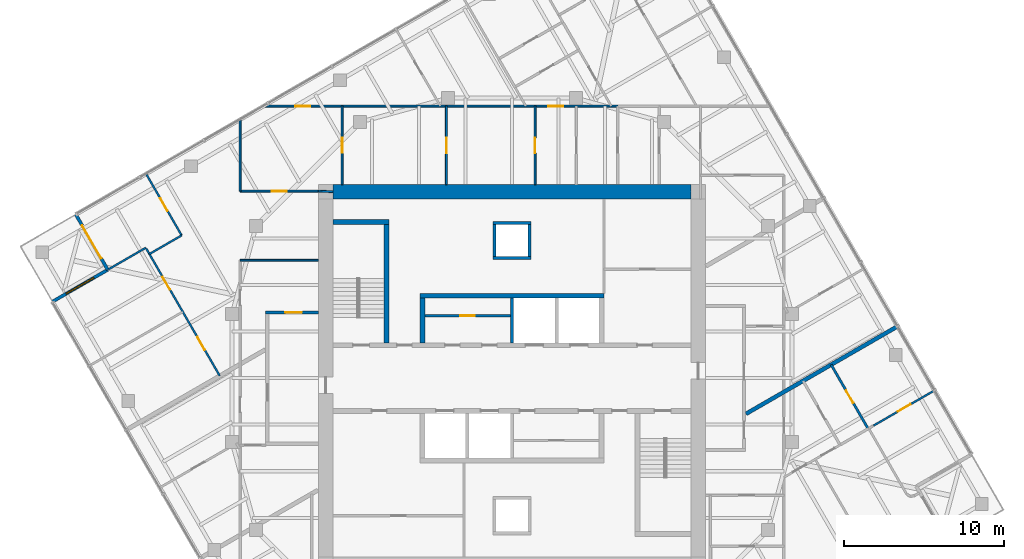
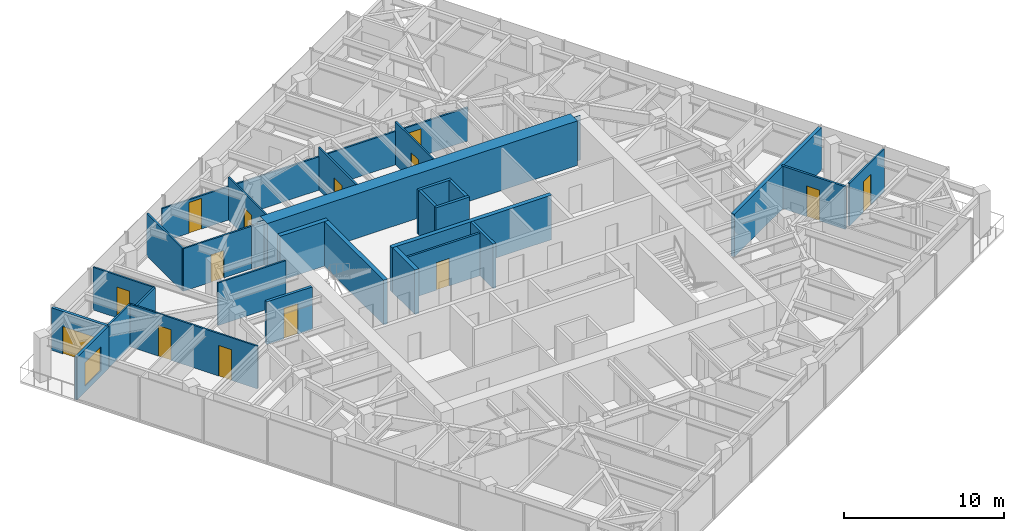
# One storey, part 10 of 13: 29 walls, 14 doors, 1 window, 15 openings.
"""IFC4 building model written with IfcOpenShell, lengths in metres."""

from ifc_helpers import new_model, si_unit, direction, frame, frame_2d, origin, place, context, subcontext, project, spatial, polyline, rectangle, outline, extrude, material, layer, layer_set, type_object, element, fill, save


model = new_model("IFC4")

# Units and contexts
model_context = context("Model", 3, precision=1e-05, world=origin(), true_north=direction((0.0, 1.0)))
body_context = subcontext(model_context, "Body", "Model", "MODEL_VIEW")
ifc_project = project(units=[si_unit("LENGTHUNIT", "METRE"), si_unit("AREAUNIT", "SQUARE_METRE"), si_unit("VOLUMEUNIT", "CUBIC_METRE"), si_unit("PLANEANGLEUNIT", "RADIAN"), si_unit("MASSUNIT", "GRAM", prefix="KILO")], contexts=[model_context])

# Site, building, storey
site_placement = place(None, origin())
site = spatial("IfcSite", under=ifc_project, at=site_placement, CompositionType="ELEMENT")
building_placement = place(site_placement, origin())
building = spatial("IfcBuilding", under=site, at=building_placement, Name="Torsade Residences", CompositionType="ELEMENT")
storey_placement = place(building_placement, frame((0.0, 0.0, 215.0)))
storey = spatial("IfcBuildingStorey", under=building, at=storey_placement, Name="L59", CompositionType="ELEMENT", Elevation=215.0)

# Walls
ifc_material_1 = material(Name="Concrete 80 MPa", Category="concrete")
ifc_layer_1 = layer(ifc_material_1, 0.300048828125)
ifc_layer_set_1 = layer_set([ifc_layer_1], Name="Concrete 80 MPa")
wall_type_1 = type_object("IfcWallType", Name="CORE INTERNAL WALL 300", PredefinedType="SHEAR", material=ifc_layer_set_1)
wall_1_placement = place(storey_placement, frame((34.25, 35.14990234375, 0.0), z_axis=(0.0, 0.0, 1.0), x_axis=(1.0, 0.0, 0.0)))
element("IfcWall", 1, at=wall_1_placement, inside=storey, type_object=wall_type_1, Name="Core wall BN L59", PredefinedType="SHEAR", context=body_context, shape_type="SweptSolid", body=[
    extrude(rectangle(XDim=11.5, YDim=0.300048828125, at=frame_2d((5.75, 0.0))), origin(), (0.0, 0.0, 1.0), 3.39990234375),
])
wall_2_placement = place(storey_placement, frame((34.39990234375, 32.199951171875, 0.0), z_axis=(0.0, 0.0, 1.0), x_axis=(0.0, 1.0, 0.0)))
element("IfcWall", 2, at=wall_2_placement, inside=storey, type_object=wall_type_1, Name="Core wall DN0 L59", PredefinedType="SHEAR", context=body_context, shape_type="SweptSolid", body=[
    extrude(rectangle(XDim=2.800048828125, YDim=0.300048828125, at=frame_2d((1.39990234375, 0.0))), origin(), (0.0, 0.0, 1.0), 3.39990234375),
])
wall_3_placement = place(storey_placement, frame((32.14990234375, 32.199951171875, 0.0), z_axis=(0.0, 0.0, 1.0), x_axis=(0.0, 1.0, 0.0)))
element("IfcWall", 3, at=wall_3_placement, inside=storey, type_object=wall_type_1, Name="Core wall ST1E L59", PredefinedType="SHEAR", context=body_context, shape_type="SweptSolid", body=[
    extrude(rectangle(XDim=7.699951171875, YDim=0.300048828125, at=frame_2d((3.85009765625, 0.0))), origin(), (0.0, 0.0, 1.0), 3.39990234375),
])
wall_4_placement = place(storey_placement, frame((28.800048828125, 39.75, 0.0), z_axis=(0.0, 0.0, 1.0), x_axis=(1.0, 0.0, 0.0)))
element("IfcWall", 4, at=wall_4_placement, inside=storey, type_object=wall_type_1, Name="Core wall ST1N L59", PredefinedType="SHEAR", context=body_context, shape_type="SweptSolid", body=[
    extrude(rectangle(XDim=3.5, YDim=0.300048828125, at=frame_2d((1.75, 0.0))), origin(), (0.0, 0.0, 1.0), 3.39990234375),
])
ifc_material_2 = material(Name="Concrete 80 MPa", Category="concrete")
ifc_layer_2 = layer(ifc_material_2, 0.89990234375)
ifc_layer_set_2 = layer_set([ifc_layer_2], Name="Concrete 80 MPa")
wall_type_2 = type_object("IfcWallType", Name="CORE WALL 900", PredefinedType="SHEAR", material=ifc_layer_set_2)
wall_5_placement = place(storey_placement, frame((28.800048828125, 41.64990234375, 0.0), z_axis=(0.0, 0.0, 1.0), x_axis=(1.0, 0.0, 0.0)))
element("IfcWall", 5, at=wall_5_placement, inside=storey, type_object=wall_type_2, Name="Core wall N L59", PredefinedType="SHEAR", context=body_context, shape_type="SweptSolid", body=[
    extrude(outline(polyline([(0.0, -0.449951171875), (22.39990234375, -0.449951171875), (22.39990234375, -0.02490234375), (22.849853515625, -0.02490234375), (22.849853515625, 0.02490234375), (22.39990234375, 0.02490234375), (22.39990234375, 0.449951171875), (0.0, 0.449951171875), (0.0, 0.02490234375), (-0.449951171875, 0.02490234375), (-0.449951171875, -0.02490234375), (0.0, -0.02490234375), (0.0, -0.449951171875)])), origin(), (0.0, 0.0, 1.0), 3.39990234375),
])

# Wall, opening, door
ifc_material_3 = material(Name="Plasterboard on steel stud", Category="steel")
ifc_layer_3 = layer(ifc_material_3, 0.199951171875)
ifc_layer_set_3 = layer_set([ifc_layer_3], Name="Plasterboard on steel stud")
wall_type_3 = type_object("IfcWallType", Name="CORRIDOR WALL 200", PredefinedType="PARTITIONING", material=ifc_layer_set_3)
wall_6_placement = place(storey_placement, frame((27.89990234375, 34.10009765625, 0.0), z_axis=(0.0, 0.0, 1.0), x_axis=(-1.0, 0.0, 0.0)))
wall_6 = element("IfcWall", 6, at=wall_6_placement, inside=storey, type_object=wall_type_3, Name="Corridor wall L59", PredefinedType="PARTITIONING", context=body_context, shape_type="SweptSolid", body=[
    extrude(rectangle(XDim=3.2998046875, YDim=0.199951171875, at=frame_2d((1.64990234375, 0.0))), origin(), (0.0, 0.0, 1.0), 3.25),
])
opening_1_placement = place(wall_6_placement, frame((1.0400390625, 0.0, 0.0)))
opening_1 = element("IfcOpeningElement", 7, at=opening_1_placement, cuts=wall_6, Name="Opening D01", PredefinedType="OPENING", context=body_context, shape_type="SweptSolid", body=[
    extrude(rectangle(XDim=1.02001953125, YDim=2.340087890625, at=frame_2d((0.510009765625, 1.169921875))), frame((0.0, 0.10986328125, 0.0), z_axis=(0.0, -1.0, 0.0), x_axis=(1.0, 0.0, 0.0)), (0.0, 0.0, 1.0), 0.219970703125),
])
ifc_material_4 = material(Name="Solid-core timber fire door", Category="wood")
door_type_1 = type_object("IfcDoorType", Name="APARTMENT ENTRY DOOR 1020x2340", OperationType="NOTDEFINED", PredefinedType="DOOR", material=ifc_material_4)
door_1_placement = place(opening_1_placement, origin())
door_1 = element("IfcDoor", 8, at=door_1_placement, inside=storey, type_object=door_type_1, Name="Door Residential corridor to Kitchen and dining", OperationType="SINGLE_SWING_RIGHT", OverallHeight=2.340087890625, OverallWidth=1.02001953125, PredefinedType="DOOR", context=body_context, shape_type="SweptSolid", body=[
    extrude(rectangle(XDim=1.02001953125, YDim=2.340087890625, at=frame_2d((0.510009765625, 1.169921875))), frame((0.0, 0.02490234375, 0.0), z_axis=(0.0, -1.0, 0.0), x_axis=(1.0, 0.0, 0.0)), (0.0, 0.0, 1.0), 0.050048828125),
])
fill(opening_1, door_1)

# Wall
ifc_material_5 = material(Name="Reinforced blockwork", Category="masonry")
ifc_layer_4 = layer(ifc_material_5, 0.199951171875)
ifc_layer_set_4 = layer_set([ifc_layer_4], Name="Reinforced blockwork")
wall_type_4 = type_object("IfcWallType", Name="LIFT SHAFT DIVIDING WALL 200", PredefinedType="SOLIDWALL", material=ifc_layer_set_4)
wall_7_placement = place(storey_placement, frame((40.0, 32.199951171875, 0.0), z_axis=(0.0, 0.0, 1.0), x_axis=(0.0, 1.0, 0.0)))
element("IfcWall", 9, at=wall_7_placement, inside=storey, type_object=wall_type_4, Name="Core wall DN2 L59", PredefinedType="SOLIDWALL", context=body_context, shape_type="SweptSolid", body=[
    extrude(rectangle(XDim=2.800048828125, YDim=0.199951171875, at=frame_2d((1.39990234375, 0.0))), origin(), (0.0, 0.0, 1.0), 3.39990234375),
])

# Wall, opening, door
ifc_material_6 = material(Name="Plasterboard on steel stud", Category="steel")
ifc_layer_5 = layer(ifc_material_6, 0.1201171875)
ifc_layer_set_5 = layer_set([ifc_layer_5], Name="Plasterboard on steel stud")
wall_type_5 = type_object("IfcWallType", Name="PARTITION 120", PredefinedType="PARTITIONING", material=ifc_layer_set_5)
wall_8_placement = place(storey_placement, frame((66.388427734375, 29.2138671875, 0.0), z_axis=(0.0, 0.0, 1.0), x_axis=(-0.866032173762, -0.499988273872, 0.0)))
wall_8 = element("IfcWall", 10, at=wall_8_placement, inside=storey, type_object=wall_type_5, Name="Partition L59", PredefinedType="PARTITIONING", context=body_context, shape_type="SweptSolid", body=[
    extrude(rectangle(XDim=4.37255859375, YDim=0.1201171875, at=frame_2d((2.186279296875, 0.0))), origin(), (0.0, 0.0, 1.0), 3.25),
])
opening_2_placement = place(wall_8_placement, frame((1.706298828125, 0.0, 0.0)))
opening_2 = element("IfcOpeningElement", 11, at=opening_2_placement, cuts=wall_8, Name="Opening D02", PredefinedType="OPENING", context=body_context, shape_type="SweptSolid", body=[
    extrude(rectangle(XDim=0.919921875, YDim=2.340087890625, at=frame_2d((0.4599609375, 1.169921875))), frame((0.0, 0.070068359375, 0.0), z_axis=(0.0, -1.0, 0.0), x_axis=(1.0, 0.0, 0.0)), (0.0, 0.0, 1.0), 0.14013671875),
])
ifc_material_7 = material(Name="Hollow-core timber door", Category="wood")
door_type_2 = type_object("IfcDoorType", Name="INTERNAL DOOR 920x2340", OperationType="NOTDEFINED", PredefinedType="DOOR", material=ifc_material_7)
door_2_placement = place(opening_2_placement, origin())
door_2 = element("IfcDoor", 12, at=door_2_placement, inside=storey, type_object=door_type_2, Name="Door Family room to Family room 2", OperationType="SINGLE_SWING_RIGHT", OverallHeight=2.340087890625, OverallWidth=0.919921875, PredefinedType="DOOR", context=body_context, shape_type="SweptSolid", body=[
    extrude(rectangle(XDim=0.919921875, YDim=2.340087890625, at=frame_2d((0.4599609375, 1.169921875))), frame((0.0, 0.02490234375, 0.0), z_axis=(0.0, -1.0, 0.0), x_axis=(1.0, 0.0, 0.0)), (0.0, 0.0, 1.0), 0.050048828125),
])
fill(opening_2, door_2)

# Wall
wall_9_placement = place(storey_placement, frame((23.0, 37.365478515625, 0.0), z_axis=(0.0, 0.0, 1.0), x_axis=(1.0, 0.0, 0.0)))
element("IfcWall", 13, at=wall_9_placement, inside=storey, type_object=wall_type_5, Name="Partition L59", PredefinedType="PARTITIONING", context=body_context, shape_type="SweptSolid", body=[
    extrude(rectangle(XDim=4.89990234375, YDim=0.1201171875, at=frame_2d((2.449951171875, 0.0))), origin(), (0.0, 0.0, 1.0), 3.25),
])

# Wall, opening, door
wall_10_placement = place(storey_placement, frame((29.380615234375, 47.0, 0.0), z_axis=(0.0, 0.0, 1.0), x_axis=(0.0, -1.0, 0.0)))
wall_10 = element("IfcWall", 14, at=wall_10_placement, inside=storey, type_object=wall_type_5, Name="Partition L59", PredefinedType="PARTITIONING", context=body_context, shape_type="SweptSolid", body=[
    extrude(rectangle(XDim=4.89990234375, YDim=0.1201171875, at=frame_2d((2.449951171875, 0.0))), origin(), (0.0, 0.0, 1.0), 3.25),
])
opening_3_placement = place(wall_10_placement, frame((1.989990234375, 0.0, 0.0)))
opening_3 = element("IfcOpeningElement", 15, at=opening_3_placement, cuts=wall_10, Name="Opening D02L", PredefinedType="OPENING", context=body_context, shape_type="SweptSolid", body=[
    extrude(rectangle(XDim=0.919921875, YDim=2.10009765625, at=frame_2d((0.4599609375, 1.050048828125))), frame((0.0, 0.070068359375, 0.0), z_axis=(0.0, -1.0, 0.0), x_axis=(1.0, 0.0, 0.0)), (0.0, 0.0, 1.0), 0.14013671875),
])
ifc_material_8 = material(Name="Hollow-core timber door", Category="wood")
door_type_3 = type_object("IfcDoorType", Name="INTERNAL DOOR 920x2100", OperationType="NOTDEFINED", PredefinedType="DOOR", material=ifc_material_8)
door_3_placement = place(opening_3_placement, origin())
door_3 = element("IfcDoor", 16, at=door_3_placement, inside=storey, type_object=door_type_3, Name="Door Scullery to Pantry", OperationType="SINGLE_SWING_LEFT", OverallHeight=2.10009765625, OverallWidth=0.919921875, PredefinedType="DOOR", context=body_context, shape_type="SweptSolid", body=[
    extrude(rectangle(XDim=0.919921875, YDim=2.10009765625, at=frame_2d((0.4599609375, 1.050048828125))), frame((0.0, 0.02490234375, 0.0), z_axis=(0.0, -1.0, 0.0), x_axis=(1.0, 0.0, 0.0)), (0.0, 0.0, 1.0), 0.050048828125),
])
fill(opening_3, door_3)

wall_11_placement = place(storey_placement, frame((27.89990234375, 41.686767578125, 0.0), z_axis=(0.0, 0.0, 1.0), x_axis=(-1.0, 0.0, 0.0)))
wall_11 = element("IfcWall", 17, at=wall_11_placement, inside=storey, type_object=wall_type_5, Name="Partition L59", PredefinedType="PARTITIONING", context=body_context, shape_type="SweptSolid", body=[
    extrude(rectangle(XDim=4.89990234375, YDim=0.1201171875, at=frame_2d((2.449951171875, 0.0))), origin(), (0.0, 0.0, 1.0), 3.25),
])
opening_4_placement = place(wall_11_placement, frame((1.989990234375, 0.0, 0.0)))
opening_4 = element("IfcOpeningElement", 18, at=opening_4_placement, cuts=wall_11, Name="Opening D02L", PredefinedType="OPENING", context=body_context, shape_type="SweptSolid", body=[
    extrude(rectangle(XDim=0.919921875, YDim=2.10009765625, at=frame_2d((0.4599609375, 1.050048828125))), frame((0.0, 0.070068359375, 0.0), z_axis=(0.0, -1.0, 0.0), x_axis=(1.0, 0.0, 0.0)), (0.0, 0.0, 1.0), 0.14013671875),
])
door_4_placement = place(opening_4_placement, origin())
door_4 = element("IfcDoor", 19, at=door_4_placement, inside=storey, type_object=door_type_3, Name="Door Living room to Scullery", OperationType="SINGLE_SWING_LEFT", OverallHeight=2.10009765625, OverallWidth=0.919921875, PredefinedType="DOOR", context=body_context, shape_type="SweptSolid", body=[
    extrude(rectangle(XDim=0.919921875, YDim=2.10009765625, at=frame_2d((0.4599609375, 1.050048828125))), frame((0.0, 0.02490234375, 0.0), z_axis=(0.0, -1.0, 0.0), x_axis=(1.0, 0.0, 0.0)), (0.0, 0.0, 1.0), 0.050048828125),
])
fill(opening_4, door_4)

# Wall
wall_12_placement = place(storey_placement, frame((23.0, 41.686767578125, 0.0), z_axis=(0.0, 0.0, 1.0), x_axis=(0.0, 1.0, 0.0)))
element("IfcWall", 20, at=wall_12_placement, inside=storey, type_object=wall_type_5, Name="Partition L59", PredefinedType="PARTITIONING", context=body_context, shape_type="SweptSolid", body=[
    extrude(rectangle(XDim=4.432861328125, YDim=0.1201171875, at=frame_2d((2.21630859375, 0.0))), origin(), (0.0, 0.0, 1.0), 3.25),
])

# Wall, openings, doors
wall_13_placement = place(storey_placement, frame((24.52490234375, 47.0, 0.0), z_axis=(0.0, 0.0, 1.0), x_axis=(1.0, 0.0, 0.0)))
wall_13 = element("IfcWall", 21, at=wall_13_placement, inside=storey, type_object=wall_type_5, Name="Partition L59", PredefinedType="PARTITIONING", context=body_context, shape_type="SweptSolid", body=[
    extrude(rectangle(XDim=22.08740234375, YDim=0.1201171875, at=frame_2d((11.043701171875, 0.0))), origin(), (0.0, 0.0, 1.0), 2.550048828125),
])
opening_5_placement = place(wall_13_placement, frame((1.927978515625, 0.0, 0.0)))
opening_5 = element("IfcOpeningElement", 22, at=opening_5_placement, cuts=wall_13, Name="Opening D02", PredefinedType="OPENING", context=body_context, shape_type="SweptSolid", body=[
    extrude(rectangle(XDim=0.919921875, YDim=2.340087890625, at=frame_2d((0.4599609375, 1.169921875))), frame((0.0, 0.070068359375, 0.0), z_axis=(0.0, -1.0, 0.0), x_axis=(1.0, 0.0, 0.0)), (0.0, 0.0, 1.0), 0.14013671875),
])
opening_6_placement = place(wall_13_placement, frame((17.73046875, 0.0, 0.0)))
opening_6 = element("IfcOpeningElement", 23, at=opening_6_placement, cuts=wall_13, Name="Opening D05", PredefinedType="OPENING", context=body_context, shape_type="SweptSolid", body=[
    extrude(rectangle(XDim=0.9599609375, YDim=2.10009765625, at=frame_2d((0.47998046875, 1.050048828125))), frame((0.0, 0.070068359375, 0.0), z_axis=(0.0, -1.0, 0.0), x_axis=(1.0, 0.0, 0.0)), (0.0, 0.0, 1.0), 0.14013671875),
])
ifc_material_9 = material(Name="Hollow-core timber door in a steel cavity frame", Category="steel")
door_type_4 = type_object("IfcDoorType", Name="BATHROOM CAVITY SLIDING DOOR 960", OperationType="SLIDING_TO_LEFT", PredefinedType="DOOR", material=ifc_material_9)
door_5_placement = place(opening_6_placement, origin())
door_5 = element("IfcDoor", 24, at=door_5_placement, inside=storey, type_object=door_type_4, Name="Door Ensuite to Walk-in robe 2", OperationType="SLIDING_TO_LEFT", OverallHeight=2.10009765625, OverallWidth=0.9599609375, PredefinedType="DOOR", context=body_context, shape_type="SweptSolid", body=[
    extrude(rectangle(XDim=0.9599609375, YDim=2.10009765625, at=frame_2d((0.47998046875, 1.050048828125))), frame((0.0, 0.02490234375, 0.0), z_axis=(0.0, -1.0, 0.0), x_axis=(1.0, 0.0, 0.0)), (0.0, 0.0, 1.0), 0.050048828125),
])
fill(opening_6, door_5)
door_6_placement = place(opening_5_placement, origin())
door_6 = element("IfcDoor", 25, at=door_6_placement, inside=storey, type_object=door_type_2, Name="Door Scullery to Study", OperationType="SINGLE_SWING_RIGHT", OverallHeight=2.340087890625, OverallWidth=0.919921875, PredefinedType="DOOR", context=body_context, shape_type="SweptSolid", body=[
    extrude(rectangle(XDim=0.919921875, YDim=2.340087890625, at=frame_2d((0.4599609375, 1.169921875))), frame((0.0, 0.02490234375, 0.0), z_axis=(0.0, -1.0, 0.0), x_axis=(1.0, 0.0, 0.0)), (0.0, 0.0, 1.0), 0.050048828125),
])
fill(opening_5, door_6)

# Wall, opening, door
wall_14_placement = place(storey_placement, frame((35.90087890625, 47.0, 0.0), z_axis=(0.0, 0.0, 1.0), x_axis=(0.0, -1.0, 0.0)))
wall_14 = element("IfcWall", 26, at=wall_14_placement, inside=storey, type_object=wall_type_5, Name="Partition L59", PredefinedType="PARTITIONING", context=body_context, shape_type="SweptSolid", body=[
    extrude(rectangle(XDim=4.89990234375, YDim=0.1201171875, at=frame_2d((2.449951171875, 0.0))), origin(), (0.0, 0.0, 1.0), 3.25),
])
opening_7_placement = place(wall_14_placement, frame((1.969970703125, 0.0, 0.0)))
opening_7 = element("IfcOpeningElement", 27, at=opening_7_placement, cuts=wall_14, Name="Opening D05", PredefinedType="OPENING", context=body_context, shape_type="SweptSolid", body=[
    extrude(rectangle(XDim=0.9599609375, YDim=2.10009765625, at=frame_2d((0.47998046875, 1.050048828125))), frame((0.0, 0.070068359375, 0.0), z_axis=(0.0, -1.0, 0.0), x_axis=(1.0, 0.0, 0.0)), (0.0, 0.0, 1.0), 0.14013671875),
])
door_7_placement = place(opening_7_placement, origin())
door_7 = element("IfcDoor", 28, at=door_7_placement, inside=storey, type_object=door_type_4, Name="Door Pantry to Laundry", OperationType="SLIDING_TO_LEFT", OverallHeight=2.10009765625, OverallWidth=0.9599609375, PredefinedType="DOOR", context=body_context, shape_type="SweptSolid", body=[
    extrude(rectangle(XDim=0.9599609375, YDim=2.10009765625, at=frame_2d((0.47998046875, 1.050048828125))), frame((0.0, 0.02490234375, 0.0), z_axis=(0.0, -1.0, 0.0), x_axis=(1.0, 0.0, 0.0)), (0.0, 0.0, 1.0), 0.050048828125),
])
fill(opening_7, door_7)

wall_15_placement = place(storey_placement, frame((41.44287109375, 42.10009765625, 0.0), z_axis=(0.0, 0.0, 1.0), x_axis=(0.0, 1.0, 0.0)))
wall_15 = element("IfcWall", 29, at=wall_15_placement, inside=storey, type_object=wall_type_5, Name="Partition L59", PredefinedType="PARTITIONING", context=body_context, shape_type="SweptSolid", body=[
    extrude(rectangle(XDim=4.89990234375, YDim=0.1201171875, at=frame_2d((2.449951171875, 0.0))), origin(), (0.0, 0.0, 1.0), 3.25),
])
opening_8_placement = place(wall_15_placement, frame((1.969970703125, 0.0, 0.0)))
opening_8 = element("IfcOpeningElement", 30, at=opening_8_placement, cuts=wall_15, Name="Opening D05", PredefinedType="OPENING", context=body_context, shape_type="SweptSolid", body=[
    extrude(rectangle(XDim=0.9599609375, YDim=2.10009765625, at=frame_2d((0.47998046875, 1.050048828125))), frame((0.0, 0.070068359375, 0.0), z_axis=(0.0, -1.0, 0.0), x_axis=(1.0, 0.0, 0.0)), (0.0, 0.0, 1.0), 0.14013671875),
])
door_8_placement = place(opening_8_placement, origin())
door_8 = element("IfcDoor", 31, at=door_8_placement, inside=storey, type_object=door_type_4, Name="Door Laundry to Ensuite", OperationType="SLIDING_TO_LEFT", OverallHeight=2.10009765625, OverallWidth=0.9599609375, PredefinedType="DOOR", context=body_context, shape_type="SweptSolid", body=[
    extrude(rectangle(XDim=0.9599609375, YDim=2.10009765625, at=frame_2d((0.47998046875, 1.050048828125))), frame((0.0, 0.02490234375, 0.0), z_axis=(0.0, -1.0, 0.0), x_axis=(1.0, 0.0, 0.0)), (0.0, 0.0, 1.0), 0.050048828125),
])
fill(opening_8, door_8)

# Wall, openings, doors
wall_16_placement = place(storey_placement, frame((21.732666015625, 30.13427734375, 0.0), z_axis=(0.0, 0.0, 1.0), x_axis=(-0.500019218905, 0.86601430746, 0.0)))
wall_16 = element("IfcWall", 32, at=wall_16_placement, inside=storey, type_object=wall_type_5, Name="Partition L59", PredefinedType="PARTITIONING", context=body_context, shape_type="SweptSolid", body=[
    extrude(rectangle(XDim=9.210205078125, YDim=0.1201171875, at=frame_2d((4.60498046875, 0.0))), origin(), (0.0, 0.0, 1.0), 3.25),
])
opening_9_placement = place(wall_16_placement, frame((1.87744140625, 0.0, 0.0)))
opening_9 = element("IfcOpeningElement", 33, at=opening_9_placement, cuts=wall_16, Name="Opening D02", PredefinedType="OPENING", context=body_context, shape_type="SweptSolid", body=[
    extrude(rectangle(XDim=0.919921875, YDim=2.340087890625, at=frame_2d((0.4599609375, 1.169921875))), frame((0.0, 0.070068359375, 0.0), z_axis=(0.0, -1.0, 0.0), x_axis=(1.0, 0.0, 0.0)), (0.0, 0.0, 1.0), 0.14013671875),
])
opening_10_placement = place(wall_16_placement, frame((6.2275390625, 0.0, 0.0)))
opening_10 = element("IfcOpeningElement", 34, at=opening_10_placement, cuts=wall_16, Name="Opening D02", PredefinedType="OPENING", context=body_context, shape_type="SweptSolid", body=[
    extrude(rectangle(XDim=0.919921875, YDim=2.340087890625, at=frame_2d((0.4599609375, 1.169921875))), frame((0.0, 0.070068359375, 0.0), z_axis=(0.0, -1.0, 0.0), x_axis=(1.0, 0.0, 0.0)), (0.0, 0.0, 1.0), 0.14013671875),
])
door_9_placement = place(opening_9_placement, origin())
door_9 = element("IfcDoor", 35, at=door_9_placement, inside=storey, type_object=door_type_2, Name="Door Living room to Bedroom 3", OperationType="SINGLE_SWING_LEFT", OverallHeight=2.340087890625, OverallWidth=0.919921875, PredefinedType="DOOR", context=body_context, shape_type="SweptSolid", body=[
    extrude(rectangle(XDim=0.919921875, YDim=2.340087890625, at=frame_2d((0.4599609375, 1.169921875))), frame((0.0, 0.02490234375, 0.0), z_axis=(0.0, -1.0, 0.0), x_axis=(1.0, 0.0, 0.0)), (0.0, 0.0, 1.0), 0.050048828125),
])
fill(opening_9, door_9)
door_10_placement = place(opening_10_placement, origin())
door_10 = element("IfcDoor", 36, at=door_10_placement, inside=storey, type_object=door_type_2, Name="Door Living room to Bedroom 4", OperationType="SINGLE_SWING_LEFT", OverallHeight=2.340087890625, OverallWidth=0.919921875, PredefinedType="DOOR", context=body_context, shape_type="SweptSolid", body=[
    extrude(rectangle(XDim=0.919921875, YDim=2.340087890625, at=frame_2d((0.4599609375, 1.169921875))), frame((0.0, 0.02490234375, 0.0), z_axis=(0.0, -1.0, 0.0), x_axis=(1.0, 0.0, 0.0)), (0.0, 0.0, 1.0), 0.050048828125),
])
fill(opening_10, door_10)

# Wall
wall_17_placement = place(storey_placement, frame((17.33251953125, 37.75537109375, 0.0), z_axis=(0.0, 0.0, 1.0), x_axis=(0.866059848015, 0.499940336097, 0.0)))
element("IfcWall", 37, at=wall_17_placement, inside=storey, type_object=wall_type_5, Name="Partition L59", PredefinedType="PARTITIONING", context=body_context, shape_type="SweptSolid", body=[
    extrude(rectangle(XDim=2.327880859375, YDim=0.1201171875, at=frame_2d((1.1640625, 0.0))), origin(), (0.0, 0.0, 1.0), 3.25),
])

# Wall, opening, door
wall_18_placement = place(storey_placement, frame((19.3486328125, 38.919189453125, 0.0), z_axis=(0.0, 0.0, 1.0), x_axis=(-0.499997192861, 0.866027024481, 0.0)))
wall_18 = element("IfcWall", 38, at=wall_18_placement, inside=storey, type_object=wall_type_5, Name="Partition L59", PredefinedType="PARTITIONING", context=body_context, shape_type="SweptSolid", body=[
    extrude(rectangle(XDim=4.41015625, YDim=0.1201171875, at=frame_2d((2.205078125, 0.0))), origin(), (0.0, 0.0, 1.0), 3.25),
])
opening_11_placement = place(wall_18_placement, frame((1.764892578125, 0.0, 0.0)))
opening_11 = element("IfcOpeningElement", 39, at=opening_11_placement, cuts=wall_18, Name="Opening D02", PredefinedType="OPENING", context=body_context, shape_type="SweptSolid", body=[
    extrude(rectangle(XDim=0.919921875, YDim=2.340087890625, at=frame_2d((0.4599609375, 1.169921875))), frame((0.0, 0.070068359375, 0.0), z_axis=(0.0, -1.0, 0.0), x_axis=(1.0, 0.0, 0.0)), (0.0, 0.0, 1.0), 0.14013671875),
])
door_11_placement = place(opening_11_placement, origin())
door_11 = element("IfcDoor", 40, at=door_11_placement, inside=storey, type_object=door_type_2, Name="Door Living room to Media room 2", OperationType="SINGLE_SWING_LEFT", OverallHeight=2.340087890625, OverallWidth=0.919921875, PredefinedType="DOOR", context=body_context, shape_type="SweptSolid", body=[
    extrude(rectangle(XDim=0.919921875, YDim=2.340087890625, at=frame_2d((0.4599609375, 1.169921875))), frame((0.0, 0.02490234375, 0.0), z_axis=(0.0, -1.0, 0.0), x_axis=(1.0, 0.0, 0.0)), (0.0, 0.0, 1.0), 0.050048828125),
])
fill(opening_11, door_11)

# Walls
wall_19_placement = place(storey_placement, frame((14.76318359375, 36.79150390625, 0.0), z_axis=(0.0, 0.0, 1.0), x_axis=(0.86601436245, 0.500019123664, 0.0)))
element("IfcWall", 41, at=wall_19_placement, inside=storey, type_object=wall_type_5, Name="Partition L59", PredefinedType="PARTITIONING", context=body_context, shape_type="SweptSolid", body=[
    extrude(rectangle(XDim=2.70703125, YDim=0.1201171875, at=frame_2d((1.353515625, 0.0))), origin(), (0.0, 0.0, 1.0), 3.25),
])
wall_20_placement = place(storey_placement, frame((27.89990234375, 41.686767578125, 0.0), z_axis=(0.0, 0.0, 1.0), x_axis=(0.999162409553, -0.040920402453, 0.0)))
element("IfcWall", 42, at=wall_20_placement, inside=storey, type_object=wall_type_5, Name="Partition L59", PredefinedType="PARTITIONING", context=body_context, shape_type="SweptSolid", body=[
    extrude(rectangle(XDim=0.90087890625, YDim=0.1201171875, at=frame_2d((0.450439453125, 0.0))), origin(), (0.0, 0.0, 1.0), 3.25),
])
ifc_material_10 = material(Name="Masonry-lined stud party wall", Category="masonry")
ifc_layer_6 = layer(ifc_material_10, 0.25)
ifc_layer_set_6 = layer_set([ifc_layer_6], Name="Masonry-lined stud party wall")
wall_type_6 = type_object("IfcWallType", Name="PARTY WALL 250", PredefinedType="PARTITIONING", material=ifc_layer_set_6)
wall_21_placement = place(storey_placement, frame((64.110595703125, 33.2392578125, 0.0), z_axis=(0.0, 0.0, 1.0), x_axis=(-0.866024069551, -0.500002310952, 0.0)))
element("IfcWall", 43, at=wall_21_placement, inside=storey, type_object=wall_type_6, Name="Party wall L59", PredefinedType="PARTITIONING", context=body_context, shape_type="SweptSolid", body=[
    extrude(rectangle(XDim=10.94970703125, YDim=0.25, at=frame_2d((5.474853515625, 0.0))), origin(), (0.0, 0.0, 1.0), 3.25),
])
ifc_material_11 = material(Name="Reinforced blockwork", Category="masonry")
ifc_layer_7 = layer(ifc_material_11, 0.199951171875)
ifc_layer_set_7 = layer_set([ifc_layer_7], Name="Reinforced blockwork")
wall_type_7 = type_object("IfcWallType", Name="RISER SHAFT WALL 200", PredefinedType="SOLIDWALL", material=ifc_layer_set_7)
for number, where, z_axis, x_axis, name in (
    (44, (38.89990234375, 37.60009765625, 0.0), (0.0, 0.0, 1.0), (0.0, 1.0, 0.0), "Core wall RS1a L59"),
    (45, (41.10009765625, 37.60009765625, 0.0), (0.0, 0.0, 1.0), (0.0, 1.0, 0.0), "Core wall RS1b L59"),
):
    element("IfcWall", number, at=place(storey_placement, frame(where, z_axis=z_axis, x_axis=x_axis)), inside=storey, type_object=wall_type_7, Name=name, PredefinedType="SOLIDWALL", context=body_context, shape_type="SweptSolid", body=[
        extrude(rectangle(XDim=2.0, YDim=0.199951171875, at=frame_2d((1.0, 0.0))), origin(), (0.0, 0.0, 1.0), 3.39990234375),
    ])
for number, where, z_axis, x_axis, name in (
    (46, (38.800048828125, 37.5, 0.0), (0.0, 0.0, 1.0), (1.0, 0.0, 0.0), "Core wall RS1c L59"),
    (47, (38.800048828125, 39.699951171875, 0.0), (0.0, 0.0, 1.0), (1.0, 0.0, 0.0), "Core wall RS1d L59"),
):
    element("IfcWall", number, at=place(storey_placement, frame(where, z_axis=z_axis, x_axis=x_axis)), inside=storey, type_object=wall_type_7, Name=name, PredefinedType="SOLIDWALL", context=body_context, shape_type="SweptSolid", body=[
        extrude(rectangle(XDim=2.39990234375, YDim=0.199951171875, at=frame_2d((1.199951171875, 0.0))), origin(), (0.0, 0.0, 1.0), 3.39990234375),
    ])

# Wall, opening, door
ifc_material_12 = material(Name="Reinforced blockwork", Category="masonry")
ifc_layer_8 = layer(ifc_material_12, 0.14990234375)
ifc_layer_set_8 = layer_set([ifc_layer_8], Name="Reinforced blockwork")
wall_type_8 = type_object("IfcWallType", Name="SERVICE ROOM WALL 150", PredefinedType="SOLIDWALL", material=ifc_layer_set_8)
wall_22_placement = place(storey_placement, frame((62.2626953125, 26.83203125, 0.0), z_axis=(0.0, 0.0, 1.0), x_axis=(-0.499999662836, 0.866025598446, 0.0)))
wall_22 = element("IfcWall", 48, at=wall_22_placement, inside=storey, type_object=wall_type_8, Name="Service room wall L59", PredefinedType="SOLIDWALL", context=body_context, shape_type="SweptSolid", body=[
    extrude(rectangle(XDim=4.625, YDim=0.14990234375, at=frame_2d((2.3125, 0.0))), origin(), (0.0, 0.0, 1.0), 3.25),
])
opening_12_placement = place(wall_22_placement, frame((1.8525390625, 0.0, 0.0)))
opening_12 = element("IfcOpeningElement", 49, at=opening_12_placement, cuts=wall_22, Name="Opening D02", PredefinedType="OPENING", context=body_context, shape_type="SweptSolid", body=[
    extrude(rectangle(XDim=0.919921875, YDim=2.340087890625, at=frame_2d((0.4599609375, 1.169921875))), frame((0.0, 0.0849609375, 0.0), z_axis=(0.0, -1.0, 0.0), x_axis=(1.0, 0.0, 0.0)), (0.0, 0.0, 1.0), 0.169921875),
])
door_12_placement = place(opening_12_placement, origin())
door_12 = element("IfcDoor", 50, at=door_12_placement, inside=storey, type_object=door_type_2, Name="Door Linen store 3 to Family room", OperationType="SINGLE_SWING_RIGHT", OverallHeight=2.340087890625, OverallWidth=0.919921875, PredefinedType="DOOR", context=body_context, shape_type="SweptSolid", body=[
    extrude(rectangle(XDim=0.919921875, YDim=2.340087890625, at=frame_2d((0.4599609375, 1.169921875))), frame((0.0, 0.02490234375, 0.0), z_axis=(0.0, -1.0, 0.0), x_axis=(1.0, 0.0, 0.0)), (0.0, 0.0, 1.0), 0.050048828125),
])
fill(opening_12, door_12)

wall_23_placement = place(storey_placement, frame((34.550048828125, 33.89990234375, 0.0), z_axis=(0.0, 0.0, 1.0), x_axis=(1.0, 0.0, 0.0)))
wall_23 = element("IfcWall", 51, at=wall_23_placement, inside=storey, type_object=wall_type_8, Name="Service room wall L59", PredefinedType="SOLIDWALL", context=body_context, shape_type="SweptSolid", body=[
    extrude(rectangle(XDim=5.349853515625, YDim=0.14990234375, at=frame_2d((2.6748046875, 0.0))), origin(), (0.0, 0.0, 1.0), 3.25),
])
opening_13_placement = place(wall_23_placement, frame((2.215087890625, 0.0, 0.0)))
opening_13 = element("IfcOpeningElement", 52, at=opening_13_placement, cuts=wall_23, Name="Opening D06", PredefinedType="OPENING", context=body_context, shape_type="SweptSolid", body=[
    extrude(rectangle(XDim=0.919921875, YDim=2.10009765625, at=frame_2d((0.4599609375, 1.050048828125))), frame((0.0, 0.0849609375, 0.0), z_axis=(0.0, -1.0, 0.0), x_axis=(1.0, 0.0, 0.0)), (0.0, 0.0, 1.0), 0.169921875),
])
ifc_material_13 = material(Name="Steel-framed fire door", Category="steel")
door_type_5 = type_object("IfcDoorType", Name="FIRE DOOR 920", OperationType="NOTDEFINED", PredefinedType="DOOR", material=ifc_material_13)
door_13_placement = place(opening_13_placement, origin())
door_13 = element("IfcDoor", 53, at=door_13_placement, inside=storey, type_object=door_type_5, Name="Door Linen store L59A to Equipment store L59B", OperationType="SINGLE_SWING_RIGHT", OverallHeight=2.10009765625, OverallWidth=0.919921875, PredefinedType="DOOR", context=body_context, shape_type="SweptSolid", body=[
    extrude(rectangle(XDim=0.919921875, YDim=2.10009765625, at=frame_2d((0.4599609375, 1.050048828125))), frame((0.0, 0.02490234375, 0.0), z_axis=(0.0, -1.0, 0.0), x_axis=(1.0, 0.0, 0.0)), (0.0, 0.0, 1.0), 0.050048828125),
])
fill(opening_13, door_13)

ifc_material_14 = material(Name="Stone-faced precast concrete 40 MPa panel", Category="masonry")
ifc_layer_9 = layer(ifc_material_14, 0.199951171875)
ifc_layer_set_9 = layer_set([ifc_layer_9], Name="Stone-faced precast concrete 40 MPa panel")
wall_type_9 = type_object("IfcWallType", Name="TERRACE WALL 200", PredefinedType="SOLIDWALL", material=ifc_layer_set_9)
wall_24_placement = place(storey_placement, frame((12.728515625, 40.235595703125, 0.0), z_axis=(0.0, 0.0, 1.0), x_axis=(0.49999894854, -0.866026010844, 0.0)))
wall_24 = element("IfcWall", 54, at=wall_24_placement, inside=storey, type_object=wall_type_9, Name="Terrace wall L59 8", PredefinedType="SOLIDWALL", context=body_context, shape_type="SweptSolid", body=[
    extrude(rectangle(XDim=4.0, YDim=0.199951171875, at=frame_2d((2.0, 0.0))), origin(), (0.0, 0.0, 1.0), 3.25),
])
opening_14_placement = place(wall_24_placement, frame((0.800048828125, 0.0, 0.0)))
opening_14 = element("IfcOpeningElement", 55, at=opening_14_placement, cuts=wall_24, Name="Opening D10A", PredefinedType="OPENING", context=body_context, shape_type="SweptSolid", body=[
    extrude(rectangle(XDim=2.39990234375, YDim=2.10009765625, at=frame_2d((1.199951171875, 1.050048828125))), frame((0.0, 0.10986328125, 0.0), z_axis=(0.0, -1.0, 0.0), x_axis=(1.0, 0.0, 0.0)), (0.0, 0.0, 1.0), 0.219970703125),
])
ifc_material_15 = material(Name="Aluminium-framed glass door", Category="aluminium")
door_type_6 = type_object("IfcDoorType", Name="TERRACE SLIDING DOOR 2400x2100", OperationType="SLIDING_TO_LEFT", PredefinedType="DOOR", material=ifc_material_15)
door_14_placement = place(opening_14_placement, origin())
door_14 = element("IfcDoor", 56, at=door_14_placement, inside=storey, type_object=door_type_6, Name="Terrace door L59 8", OperationType="SLIDING_TO_LEFT", OverallHeight=2.10009765625, OverallWidth=2.39990234375, PredefinedType="DOOR", context=body_context, shape_type="SweptSolid", body=[
    extrude(rectangle(XDim=2.39990234375, YDim=2.10009765625, at=frame_2d((1.199951171875, 1.050048828125))), frame((0.0, 0.02490234375, 0.0), z_axis=(0.0, -1.0, 0.0), x_axis=(1.0, 0.0, 0.0)), (0.0, 0.0, 1.0), 0.050048828125),
])
fill(opening_14, door_14)

# Wall, opening, window
wall_25_placement = place(storey_placement, frame((14.728515625, 36.771484375, 0.0), z_axis=(0.0, 0.0, 1.0), x_axis=(-0.866026010844, -0.49999894854, 0.0)))
wall_25 = element("IfcWall", 57, at=wall_25_placement, inside=storey, type_object=wall_type_9, Name="Terrace wall L59 9", PredefinedType="SOLIDWALL", context=body_context, shape_type="SweptSolid", body=[
    extrude(rectangle(XDim=4.0, YDim=0.199951171875, at=frame_2d((2.0, 0.0))), origin(), (0.0, 0.0, 1.0), 3.25),
])
opening_15_placement = place(wall_25_placement, frame((1.0, 0.0, 0.449951171875)))
opening_15 = element("IfcOpeningElement", 58, at=opening_15_placement, cuts=wall_25, Name="Opening W1B", PredefinedType="OPENING", context=body_context, shape_type="SweptSolid", body=[
    extrude(rectangle(XDim=2.0, YDim=1.800048828125, at=frame_2d((1.0, 0.89990234375))), frame((0.0, 0.10986328125, 0.0), z_axis=(0.0, -1.0, 0.0), x_axis=(1.0, 0.0, 0.0)), (0.0, 0.0, 1.0), 0.219970703125),
])
ifc_material_16 = material(Name="Aluminium-framed glass window", Category="aluminium")
window_type = type_object("IfcWindowType", Name="TERRACE WINDOW 2000x1800", PartitioningType="SINGLE_PANEL", PredefinedType="WINDOW", material=ifc_material_16)
window_placement = place(opening_15_placement, origin())
window = element("IfcWindow", 59, at=window_placement, inside=storey, type_object=window_type, Name="Terrace window L59 9", OverallHeight=1.800048828125, OverallWidth=2.0, PartitioningType="SINGLE_PANEL", PredefinedType="WINDOW", context=body_context, shape_type="SweptSolid", body=[
    extrude(rectangle(XDim=2.0, YDim=1.800048828125, at=frame_2d((1.0, 0.89990234375))), frame((0.0, 0.030029296875, 0.0), z_axis=(0.0, -1.0, 0.0), x_axis=(1.0, 0.0, 0.0)), (0.0, 0.0, 1.0), 0.06005859375),
])
fill(opening_15, window)

save(model, "model.ifc")
